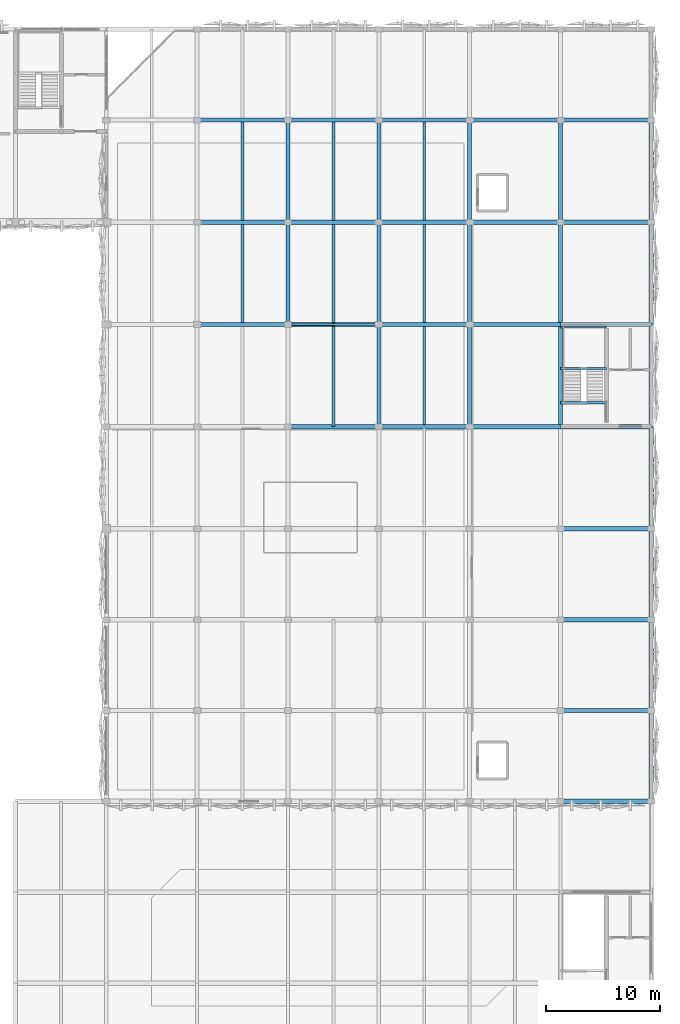
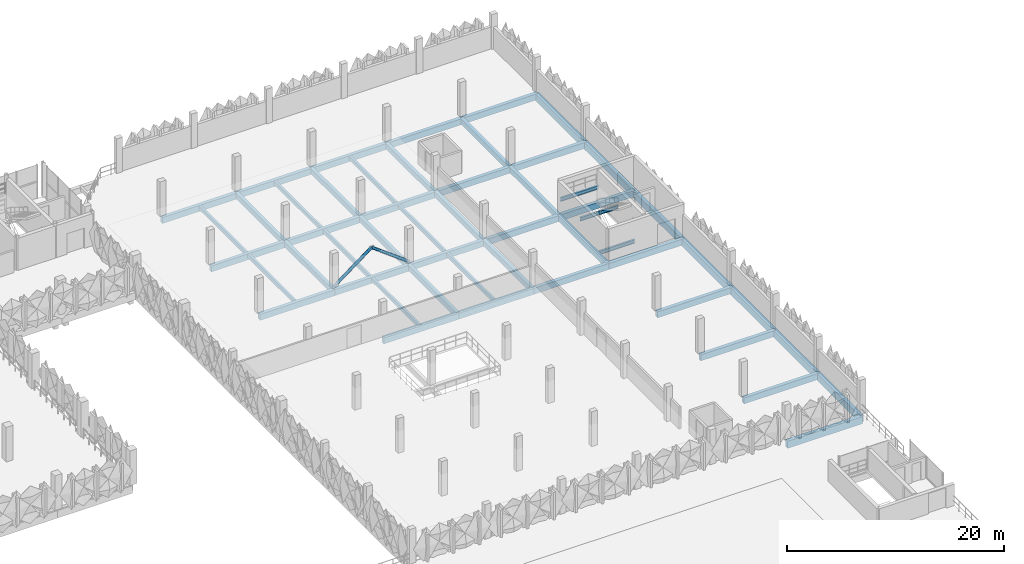
# One storey, part 26 of 76: 52 beams, 2 members.
"""IFC4 building model written with IfcOpenShell, lengths in metres."""

from ifc_helpers import new_model, si_unit, derived_unit, direction, frame, origin, origin_2d, place, context, subcontext, project, spatial, rectangle, hollow_circle, i_section, extrude, material, material_profile, profile_set, type_object, element, save


model = new_model("IFC4")

# Units and contexts
model_context = context("Model", 3, precision=1e-05, world=origin(), true_north=direction((0.0, 1.0)))
body_context = subcontext(model_context, "Body", "Model", "MODEL_VIEW")
ifc_project = project(units=[si_unit("LENGTHUNIT", "METRE"), si_unit("AREAUNIT", "SQUARE_METRE"), si_unit("VOLUMEUNIT", "CUBIC_METRE"), si_unit("PLANEANGLEUNIT", "RADIAN"), si_unit("MASSUNIT", "GRAM", prefix="KILO"), si_unit("THERMODYNAMICTEMPERATUREUNIT", "KELVIN"), derived_unit("THERMALTRANSMITTANCEUNIT", [(si_unit("POWERUNIT", "WATT"), 1), (si_unit("AREAUNIT", "SQUARE_METRE"), -1), (si_unit("THERMODYNAMICTEMPERATUREUNIT", "KELVIN"), -1)])], contexts=[model_context])

# Site, building, storey
site_placement = place(None, origin())
site = spatial("IfcSite", under=ifc_project, at=site_placement, CompositionType="ELEMENT")
building_placement = place(site_placement, origin())
building = spatial("IfcBuilding", under=site, at=building_placement, Name="Haiyu Intermodal Mobility Hub", CompositionType="ELEMENT")
storey_placement = place(building_placement, frame((0.0, 0.0, 17.300048828125)))
storey = spatial("IfcBuildingStorey", under=building, at=storey_placement, Name="L04", CompositionType="ELEMENT", Elevation=17.300048828125)

# Beams
ifc_material_1 = material(Name="Concrete C40", Category="concrete")
ifc_material_profile_1 = material_profile(ifc_material_1, rectangle(XDim=0.39990234375, YDim=0.800048828125, at=origin_2d()), Name="RCB400x800")
ifc_profile_set_1 = profile_set([ifc_material_profile_1], Name="Concrete C40")
beam_type_1 = type_object("IfcBeamType", Name="BM-CB05", PredefinedType="BEAM", material=ifc_profile_set_1)
for number, where, z_axis, x_axis, name in (
    (1, (202.0, 80.0, -0.699951171875), (1.0, 0.0, 0.0), (0.0, 1.0, 0.0), "BM-V5G-L04-062"),
    (2, (210.0, 80.0, -0.66015625), (0.0, 1.0, 0.0), (-1.0, 0.0, 0.0), "BM-V6T-L04-049"),
    (3, (210.0, 88.0, -0.66015625), (0.0, 1.0, 0.0), (-1.0, 0.0, 0.0), "BM-V6T-L04-050"),
    (4, (210.0, 96.0, -0.66015625), (0.0, 1.0, 0.0), (-1.0, 0.0, 0.0), "BM-V6T-L04-051"),
):
    element("IfcBeam", number, at=place(storey_placement, frame(where, z_axis=z_axis, x_axis=x_axis)), inside=storey, type_object=beam_type_1, Name=name, PredefinedType="BEAM", context=body_context, shape_type="SweptSolid", body=[
        extrude(rectangle(XDim=0.39990234375, YDim=0.800048828125, at=origin_2d()), origin(), (0.0, 0.0, 1.0), 8.0),
    ])
for number, where, z_axis, x_axis, name in (
    (5, (210.0, 104.0, -0.66015625), (0.0, 1.0, 0.0), (-1.0, 0.0, 0.0), "BM-V6T-L04-052"),
    (6, (210.0, 113.0, -0.66015625), (0.0, 1.0, 0.0), (-1.0, 0.0, 0.0), "BM-V6T-L04-053"),
    (7, (210.0, 122.0, -0.66015625), (0.0, 1.0, 0.0), (-1.0, 0.0, 0.0), "BM-V6T-L04-054"),
    (8, (210.0, 131.0, -0.66015625), (0.0, 1.0, 0.0), (-1.0, 0.0, 0.0), "BM-V6T-L04-055"),
):
    element("IfcBeam", number, at=place(storey_placement, frame(where, z_axis=z_axis, x_axis=x_axis)), inside=storey, type_object=beam_type_1, Name=name, PredefinedType="BEAM", context=body_context, shape_type="SweptSolid", body=[
        extrude(rectangle(XDim=0.39990234375, YDim=0.800048828125, at=origin_2d()), origin(), (0.0, 0.0, 1.0), 9.0),
    ])
ifc_material_profile_2 = material_profile(ifc_material_1, rectangle(XDim=0.3798828125, YDim=0.679931640625, at=origin_2d()), Name="B380x680")
ifc_profile_set_2 = profile_set([ifc_material_profile_2], Name="Concrete C40")
beam_type_2 = type_object("IfcBeamType", Name="BM-CB15", PredefinedType="BEAM", material=ifc_profile_set_2)
for number, where, z_axis, x_axis, name in (
    (9, (202.0, 88.0, -0.60009765625), (1.0, 0.0, 0.0), (0.0, 1.0, 0.0), "BM-V6G-L04-012"),
    (10, (202.0, 96.0, -0.60009765625), (1.0, 0.0, 0.0), (0.0, 1.0, 0.0), "BM-V6G-L04-018"),
    (11, (202.0, 104.0, -0.60009765625), (1.0, 0.0, 0.0), (0.0, 1.0, 0.0), "BM-V6G-L04-024"),
    (12, (178.0, 113.0, -0.60009765625), (1.0, 0.0, 0.0), (0.0, 1.0, 0.0), "BM-V6G-L04-027"),
    (13, (186.0, 113.0, -0.60009765625), (1.0, 0.0, 0.0), (0.0, 1.0, 0.0), "BM-V6G-L04-028"),
    (14, (194.0, 113.0, -0.60009765625), (1.0, 0.0, 0.0), (0.0, 1.0, 0.0), "BM-V6G-L04-029"),
    (15, (202.0, 113.0, -0.60009765625), (1.0, 0.0, 0.0), (0.0, 1.0, 0.0), "BM-V6G-L04-030"),
    (16, (170.0, 122.0, -0.60009765625), (1.0, 0.0, 0.0), (0.0, 1.0, 0.0), "BM-V6G-L04-032"),
    (17, (178.0, 122.0, -0.60009765625), (1.0, 0.0, 0.0), (0.0, 1.0, 0.0), "BM-V6G-L04-033"),
    (18, (186.0, 122.0, -0.60009765625), (1.0, 0.0, 0.0), (0.0, 1.0, 0.0), "BM-V6G-L04-034"),
    (19, (194.0, 122.0, -0.60009765625), (1.0, 0.0, 0.0), (0.0, 1.0, 0.0), "BM-V6G-L04-035"),
    (20, (202.0, 122.0, -0.60009765625), (1.0, 0.0, 0.0), (0.0, 1.0, 0.0), "BM-V6G-L04-036"),
    (21, (170.0, 131.0, -0.60009765625), (1.0, 0.0, 0.0), (0.0, 1.0, 0.0), "BM-V6G-L04-038"),
    (22, (178.0, 131.0, -0.60009765625), (1.0, 0.0, 0.0), (0.0, 1.0, 0.0), "BM-V6G-L04-039"),
    (23, (186.0, 131.0, -0.60009765625), (1.0, 0.0, 0.0), (0.0, 1.0, 0.0), "BM-V6G-L04-040"),
    (24, (194.0, 131.0, -0.60009765625), (1.0, 0.0, 0.0), (0.0, 1.0, 0.0), "BM-V6G-L04-041"),
    (25, (202.0, 131.0, -0.60009765625), (1.0, 0.0, 0.0), (0.0, 1.0, 0.0), "BM-V6G-L04-042"),
    (26, (170.0, 140.0, -0.60009765625), (1.0, 0.0, 0.0), (0.0, 1.0, 0.0), "BM-V6G-L04-044"),
    (27, (178.0, 140.0, -0.60009765625), (1.0, 0.0, 0.0), (0.0, 1.0, 0.0), "BM-V6G-L04-045"),
    (28, (186.0, 140.0, -0.60009765625), (1.0, 0.0, 0.0), (0.0, 1.0, 0.0), "BM-V6G-L04-046"),
    (29, (194.0, 140.0, -0.60009765625), (1.0, 0.0, 0.0), (0.0, 1.0, 0.0), "BM-V6G-L04-047"),
    (30, (202.0, 140.0, -0.60009765625), (1.0, 0.0, 0.0), (0.0, 1.0, 0.0), "BM-V6G-L04-048"),
):
    element("IfcBeam", number, at=place(storey_placement, frame(where, z_axis=z_axis, x_axis=x_axis)), inside=storey, type_object=beam_type_2, Name=name, PredefinedType="BEAM", context=body_context, shape_type="SweptSolid", body=[
        extrude(rectangle(XDim=0.3798828125, YDim=0.679931640625, at=origin_2d()), origin(), (0.0, 0.0, 1.0), 8.0),
    ])
ifc_material_profile_3 = material_profile(ifc_material_1, rectangle(XDim=0.360107421875, YDim=0.6201171875, at=origin_2d()), Name="B360x620")
ifc_profile_set_3 = profile_set([ifc_material_profile_3], Name="Concrete C40")
beam_type_3 = type_object("IfcBeamType", Name="BM-CB16", PredefinedType="BEAM", material=ifc_profile_set_3)
for number, where, z_axis, x_axis, name in (
    (31, (178.0, 122.0, -0.570068359375), (0.0, 1.0, 0.0), (-1.0, 0.0, 0.0), "BM-V6T-L04-022"),
    (32, (178.0, 131.0, -0.570068359375), (0.0, 1.0, 0.0), (-1.0, 0.0, 0.0), "BM-V6T-L04-023"),
    (33, (186.0, 113.0, -0.570068359375), (0.0, 1.0, 0.0), (-1.0, 0.0, 0.0), "BM-V6T-L04-029"),
    (34, (186.0, 122.0, -0.570068359375), (0.0, 1.0, 0.0), (-1.0, 0.0, 0.0), "BM-V6T-L04-030"),
    (35, (186.0, 131.0, -0.570068359375), (0.0, 1.0, 0.0), (-1.0, 0.0, 0.0), "BM-V6T-L04-031"),
    (36, (194.0, 113.0, -0.570068359375), (0.0, 1.0, 0.0), (-1.0, 0.0, 0.0), "BM-V6T-L04-037"),
    (37, (194.0, 122.0, -0.570068359375), (0.0, 1.0, 0.0), (-1.0, 0.0, 0.0), "BM-V6T-L04-038"),
    (38, (194.0, 131.0, -0.570068359375), (0.0, 1.0, 0.0), (-1.0, 0.0, 0.0), "BM-V6T-L04-039"),
    (39, (202.0, 113.0, -0.570068359375), (0.0, 1.0, 0.0), (-1.0, 0.0, 0.0), "BM-V6T-L04-045"),
    (40, (202.0, 122.0, -0.570068359375), (0.0, 1.0, 0.0), (-1.0, 0.0, 0.0), "BM-V6T-L04-046"),
    (41, (202.0, 131.0, -0.570068359375), (0.0, 1.0, 0.0), (-1.0, 0.0, 0.0), "BM-V6T-L04-047"),
):
    element("IfcBeam", number, at=place(storey_placement, frame(where, z_axis=z_axis, x_axis=x_axis)), inside=storey, type_object=beam_type_3, Name=name, PredefinedType="BEAM", context=body_context, shape_type="SweptSolid", body=[
        extrude(rectangle(XDim=0.360107421875, YDim=0.6201171875, at=origin_2d()), origin(), (0.0, 0.0, 1.0), 9.0),
    ])
ifc_material_profile_4 = material_profile(ifc_material_1, rectangle(XDim=0.239990234375, YDim=0.43994140625, at=origin_2d()), Name="B240x440")
ifc_profile_set_4 = profile_set([ifc_material_profile_4], Name="Concrete C40")
beam_type_4 = type_object("IfcBeamType", Name="BM-CB19", PredefinedType="JOIST", material=ifc_profile_set_4)
for number, where, z_axis, x_axis, name in (
    (42, (174.0, 122.175048828125, -0.47998046875), (0.0, 1.0, 0.0), (-1.0, 0.0, 0.0), "BM-V6J-L04-014"),
    (43, (174.0, 131.175048828125, -0.47998046875), (0.0, 1.0, 0.0), (-1.0, 0.0, 0.0), "BM-V6J-L04-015"),
):
    element("IfcBeam", number, at=place(storey_placement, frame(where, z_axis=z_axis, x_axis=x_axis)), inside=storey, type_object=beam_type_4, Name=name, PredefinedType="JOIST", context=body_context, shape_type="SweptSolid", body=[
        extrude(rectangle(XDim=0.239990234375, YDim=0.43994140625, at=origin_2d()), origin(), (0.0, 0.0, 1.0), 8.64990234375),
    ])
beam_placement = place(storey_placement, frame((182.0, 113.0, -0.47998046875), z_axis=(0.0, 1.0, 0.0), x_axis=(-1.0, 0.0, 0.0)))
element("IfcBeam", 44, at=beam_placement, inside=storey, type_object=beam_type_4, Name="BM-V6J-L04-019", PredefinedType="JOIST", context=body_context, shape_type="SweptSolid", body=[
    extrude(rectangle(XDim=0.239990234375, YDim=0.43994140625, at=origin_2d()), origin(), (0.0, 0.0, 1.0), 8.824951171875),
])
for number, where, z_axis, x_axis, name in (
    (45, (182.0, 122.175048828125, -0.47998046875), (0.0, 1.0, 0.0), (-1.0, 0.0, 0.0), "BM-V6J-L04-020"),
    (46, (182.0, 131.175048828125, -0.47998046875), (0.0, 1.0, 0.0), (-1.0, 0.0, 0.0), "BM-V6J-L04-021"),
    (47, (190.0, 113.175048828125, -0.47998046875), (0.0, 1.0, 0.0), (-1.0, 0.0, 0.0), "BM-V6J-L04-027"),
    (48, (190.0, 122.175048828125, -0.47998046875), (0.0, 1.0, 0.0), (-1.0, 0.0, 0.0), "BM-V6J-L04-028"),
    (49, (190.0, 131.175048828125, -0.47998046875), (0.0, 1.0, 0.0), (-1.0, 0.0, 0.0), "BM-V6J-L04-029"),
):
    element("IfcBeam", number, at=place(storey_placement, frame(where, z_axis=z_axis, x_axis=x_axis)), inside=storey, type_object=beam_type_4, Name=name, PredefinedType="JOIST", context=body_context, shape_type="SweptSolid", body=[
        extrude(rectangle(XDim=0.239990234375, YDim=0.43994140625, at=origin_2d()), origin(), (0.0, 0.0, 1.0), 8.64990234375),
    ])
ifc_material_2 = material(Name="Steel Q355C", Category="steel")
ifc_material_profile_5 = material_profile(ifc_material_2, i_section(OverallWidth=0.199951171875, OverallDepth=0.39990234375, WebThickness=0.008056640625, FlangeThickness=0.012939453125, FilletRadius=0.01611328125, at=origin_2d()), Name="HN400x200x8x13")
ifc_profile_set_5 = profile_set([ifc_material_profile_5], Name="Steel Q355C")
beam_type_5 = type_object("IfcBeamType", Name="BM-SB08", PredefinedType="JOIST", material=ifc_profile_set_5)
for number, where, z_axis, x_axis, name in (
    (50, (202.0, 115.10009765625, -0.525146484375), (1.0, 0.0, 0.0), (0.0, 1.0, 0.0), "Stair Arrival Trimmer Beam C10-L03"),
    (51, (202.0, 118.1298828125, 1.52490234375), (1.0, 0.0, 0.0), (0.0, 1.0, 0.0), "Stair Half-Landing Front Beam C10-L04"),
    (52, (202.0, 121.780029296875, 1.52490234375), (1.0, 0.0, 0.0), (0.0, 1.0, 0.0), "Stair Half-Landing Rear Beam C10-L04"),
):
    element("IfcBeam", number, at=place(storey_placement, frame(where, z_axis=z_axis, x_axis=x_axis)), inside=storey, type_object=beam_type_5, Name=name, PredefinedType="JOIST", context=body_context, shape_type="SweptSolid", body=[
        extrude(i_section(OverallWidth=0.199951171875, OverallDepth=0.39990234375, WebThickness=0.008056640625, FlangeThickness=0.012939453125, FilletRadius=0.01611328125, at=origin_2d()), origin(), (0.0, 0.0, 1.0), 4.050048828125),
    ])

# Members
ifc_material_profile_6 = material_profile(ifc_material_2, hollow_circle(Radius=0.1494140625, WallThickness=0.010009765625, at=origin_2d()), Name="CHS299x10")
ifc_profile_set_6 = profile_set([ifc_material_profile_6], Name="Steel Q355C")
member_type = type_object("IfcMemberType", Name="MEM-BR02", PredefinedType="BRACE", material=ifc_profile_set_6)
for number, where, z_axis, x_axis, name in (
    (53, (178.0, 122.0, 0.0), (0.8, 0.0, 0.6), (0.0, 1.0, 0.0), "Seismic Chevron Brace B6-L04-A"),
    (54, (186.0, 122.0, 0.0), (-0.8, 0.0, 0.6), (0.0, -1.0, 0.0), "Seismic Chevron Brace B6-L04-B"),
):
    element("IfcMember", number, at=place(storey_placement, frame(where, z_axis=z_axis, x_axis=x_axis)), inside=storey, type_object=member_type, Name=name, PredefinedType="BRACE", context=body_context, shape_type="SweptSolid", body=[
        extrude(hollow_circle(Radius=0.1494140625, WallThickness=0.010009765625, at=origin_2d()), origin(), (0.0, 0.0, 1.0), 5.0),
    ])

save(model, "model.ifc")
